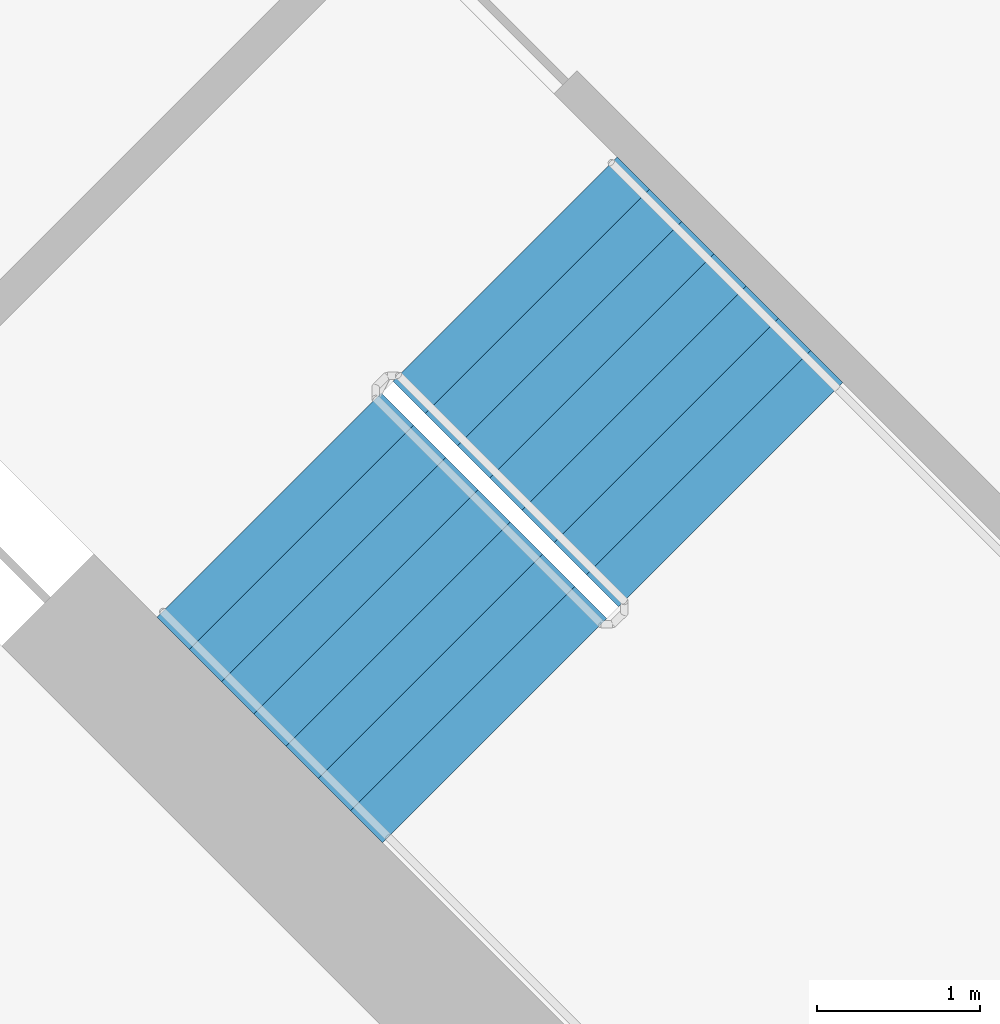
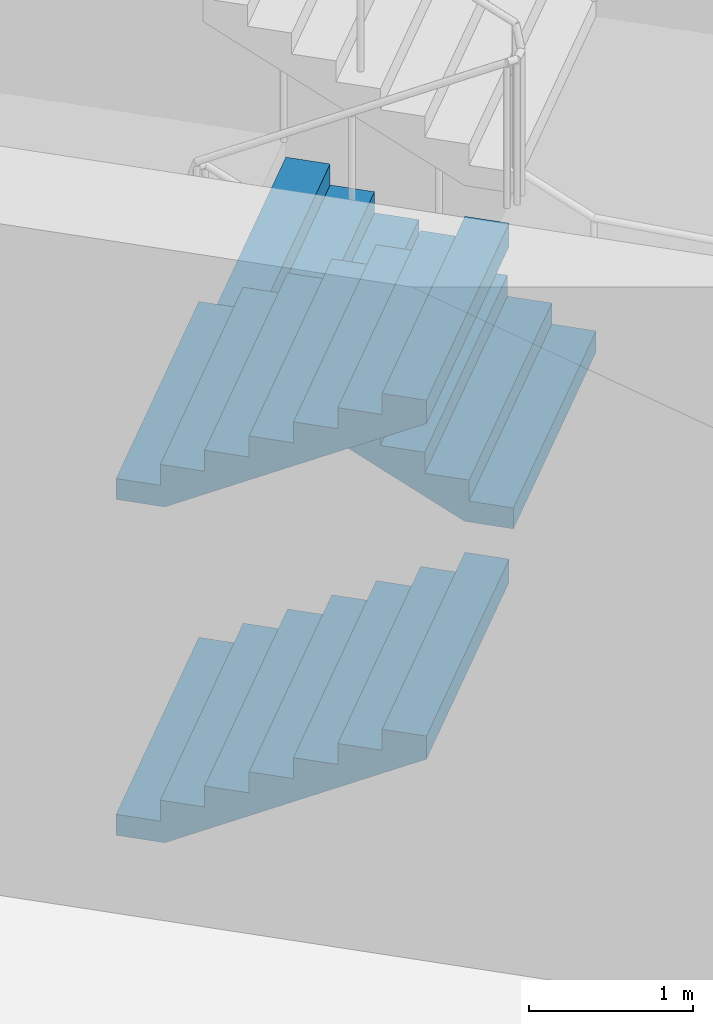
# One storey, part 15 of 20: 3 stair flights, 1 element without a shape of its own.
"""IFC4 building model written with IfcOpenShell, lengths in metres."""

from ifc_helpers import new_model, si_unit, direction, frame, origin, place, context, subcontext, project, spatial, triangles, material, type_object, element, aggregate, save


model = new_model("IFC4")

# Units and contexts
model_context = context("Model", 3, precision=1e-05, world=origin(), true_north=direction((0.0, 1.0)))
body_context = subcontext(model_context, "Body", "Model", "MODEL_VIEW")
ifc_project = project(units=[si_unit("LENGTHUNIT", "METRE"), si_unit("AREAUNIT", "SQUARE_METRE"), si_unit("VOLUMEUNIT", "CUBIC_METRE"), si_unit("PLANEANGLEUNIT", "RADIAN"), si_unit("MASSUNIT", "GRAM", prefix="KILO")], contexts=[model_context])

# Site, building, storey
site_placement = place(None, origin())
site = spatial("IfcSite", under=ifc_project, at=site_placement, CompositionType="ELEMENT")
building_placement = place(site_placement, origin())
building = spatial("IfcBuilding", under=site, at=building_placement, Name="Verdalira Terraces Hotel", CompositionType="ELEMENT")
storey_placement = place(building_placement, frame((0.0, 0.0, 81.0)))
storey = spatial("IfcBuildingStorey", under=building, at=storey_placement, Name="L18", CompositionType="ELEMENT", Elevation=81.0)

# Stair, stair flights
ifc_material_1 = material(Name="Concrete C40", Category="concrete")
stair_type = type_object("IfcStairType", Name="Core stair 32 risers 1950 mm wide", PredefinedType="HALF_TURN_STAIR", material=ifc_material_1)
stair_placement = place(storey_placement, origin())
stair = element("IfcStair", 1, at=stair_placement, inside=storey, type_object=stair_type, Name="L18 Exit stair ST2", PredefinedType="HALF_TURN_STAIR")
ifc_material_2 = material(Name="Concrete C40", Category="concrete")
stair_flight_type = type_object("IfcStairFlightType", Name="Core stair flight 32 risers 1950 mm wide", PredefinedType="STRAIGHT", material=ifc_material_2)
stair_flight_1_placement = place(storey_placement, frame((-10.023193, -7.265625, 0.0), z_axis=(0.0, 0.0, 1.0), x_axis=(0.707106781, -0.707106781, 0.0)))
stair_flight_1 = element("IfcStairFlight", 2, at=stair_flight_1_placement, type_object=stair_flight_type, Name="ST2 flight 1", NumberOfRisers=8, NumberOfTreads=7, PredefinedType="STRAIGHT", RiserHeight=0.15625, TreadLength=0.28, context=body_context, shape_type="Tessellation", body=[
    triangles([(0.0, 0.974976, 0.0), (0.307617, 0.974976, 0.0), (1.959961, 0.974976, 0.922119), (0.0, -0.974976, 0.0), (0.307617, -0.974976, 0.0), (1.959961, -0.974976, 0.922119), (1.959961, 0.974976, 1.09375), (1.679932, 0.974976, 1.09375), (1.959961, -0.974976, 1.09375), (1.679932, -0.974976, 1.09375), (1.679932, 0.974976, 0.9375), (1.679932, -0.974976, 0.9375), (1.399902, 0.974976, 0.9375), (1.399902, -0.974976, 0.9375), (1.399902, 0.974976, 0.78125), (1.399902, -0.974976, 0.78125), (1.120117, 0.974976, 0.78125), (1.120117, 0.974976, 0.625), (1.120117, -0.974976, 0.78125), (1.120117, -0.974976, 0.625), (0.840088, 0.974976, 0.625), (0.840088, 0.974976, 0.46875), (0.840088, -0.974976, 0.625), (0.840088, -0.974976, 0.46875), (0.560059, 0.974976, 0.46875), (0.560059, 0.974976, 0.3125), (0.560059, -0.974976, 0.46875), (0.560059, -0.974976, 0.3125), (0.280029, 0.974976, 0.3125), (0.280029, 0.974976, 0.15625), (0.280029, -0.974976, 0.3125), (0.280029, -0.974976, 0.15625), (0.0, 0.974976, 0.15625), (0.0, -0.974976, 0.15625), (0.0, -0.91404, 0.0), (0.0, -0.91404, 0.15625), (0.0, -0.853104, 0.0), (0.0, -0.853104, 0.15625), (0.0, -0.792168, 0.0), (0.0, -0.792168, 0.15625), (0.0, -0.731232, 0.0), (0.0, -0.731232, 0.15625), (0.0, -0.670296, 0.0), (0.0, -0.670296, 0.15625), (0.0, -0.60936, 0.0), (0.0, -0.60936, 0.15625), (0.0, -0.548424, 0.0), (0.0, -0.548424, 0.15625), (0.0, -0.487488, 0.0), (0.0, -0.487488, 0.15625), (0.0, -0.426552, 0.0), (0.0, -0.426552, 0.15625), (0.0, -0.365616, 0.0), (0.0, -0.365616, 0.15625), (0.0, -0.30468, 0.0), (0.0, -0.30468, 0.15625), (0.0, -0.243744, 0.0), (0.0, -0.243744, 0.15625), (0.0, -0.182808, 0.0), (0.0, -0.182808, 0.15625), (0.0, -0.121872, 0.0), (0.0, -0.121872, 0.15625), (0.0, -0.060936, 0.0), (0.0, -0.060936, 0.15625), (0.0, 0.0, 0.0), (0.0, 0.0, 0.15625), (0.0, 0.060936, 0.0), (0.0, 0.060936, 0.15625), (0.0, 0.121872, 0.0), (0.0, 0.121872, 0.15625), (0.0, 0.182808, 0.0), (0.0, 0.182808, 0.15625), (0.0, 0.243744, 0.0), (0.0, 0.243744, 0.15625), (0.0, 0.30468, 0.0), (0.0, 0.30468, 0.15625), (0.0, 0.365616, 0.0), (0.0, 0.365616, 0.15625), (0.0, 0.426552, 0.0), (0.0, 0.426552, 0.15625), (0.0, 0.487488, 0.0), (0.0, 0.487488, 0.15625), (0.0, 0.548424, 0.0), (0.0, 0.548424, 0.15625), (0.0, 0.60936, 0.0), (0.0, 0.60936, 0.15625), (0.0, 0.670296, 0.0), (0.0, 0.670296, 0.15625), (0.0, 0.731232, 0.0), (0.0, 0.731232, 0.15625), (0.0, 0.792168, 0.0), (0.0, 0.792168, 0.15625), (0.0, 0.853104, 0.0), (0.0, 0.853104, 0.15625), (0.0, 0.91404, 0.0), (0.0, 0.91404, 0.15625), (1.959961, -0.91404, 1.09375), (1.959961, -0.853104, 1.09375), (1.959961, -0.792168, 1.09375), (1.959961, -0.731232, 1.09375), (1.959961, -0.670296, 1.09375), (1.959961, -0.60936, 1.09375), (1.959961, -0.548424, 1.09375), (1.959961, -0.487488, 1.09375), (1.959961, -0.426552, 1.09375), (1.959961, -0.365616, 1.09375), (1.959961, -0.30468, 1.09375), (1.959961, -0.243744, 1.09375), (1.959961, -0.182808, 1.09375), (1.959961, -0.121872, 1.09375), (1.959961, -0.060936, 1.09375), (1.959961, 0.0, 1.09375), (1.959961, 0.060936, 1.09375), (1.959961, 0.121872, 1.09375), (1.959961, 0.182808, 1.09375), (1.959961, 0.243744, 1.09375), (1.959961, 0.30468, 1.09375), (1.959961, 0.365616, 1.09375), (1.959961, 0.426552, 1.09375), (1.959961, 0.487488, 1.09375), (1.959961, 0.548424, 1.09375), (1.959961, 0.60936, 1.09375), (1.959961, 0.670296, 1.09375), (1.959961, 0.731232, 1.09375), (1.959961, 0.792168, 1.09375), (1.959961, 0.853104, 1.09375), (1.959961, 0.91404, 1.09375), (1.959961, -0.91404, 0.922119), (1.959961, -0.853104, 0.922119), (1.959961, -0.792168, 0.922119), (1.959961, -0.731232, 0.922119), (1.959961, -0.670296, 0.922119), (1.959961, -0.60936, 0.922119), (1.959961, -0.548424, 0.922119), (1.959961, -0.487488, 0.922119), (1.959961, -0.426552, 0.922119), (1.959961, -0.365616, 0.922119), (1.959961, -0.30468, 0.922119), (1.959961, -0.243744, 0.922119), (1.959961, -0.182808, 0.922119), (1.959961, -0.121872, 0.922119), (1.959961, -0.060936, 0.922119), (1.959961, 0.0, 0.922119), (1.959961, 0.060936, 0.922119), (1.959961, 0.121872, 0.922119), (1.959961, 0.182808, 0.922119), (1.959961, 0.243744, 0.922119), (1.959961, 0.30468, 0.922119), (1.959961, 0.365616, 0.922119), (1.959961, 0.426552, 0.922119), (1.959961, 0.487488, 0.922119), (1.959961, 0.548424, 0.922119), (1.959961, 0.60936, 0.922119), (1.959961, 0.670296, 0.922119), (1.959961, 0.731232, 0.922119), (1.959961, 0.792168, 0.922119), (1.959961, 0.853104, 0.922119), (1.959961, 0.91404, 0.922119)], [[1, 3, 2], [4, 5, 6], [3, 8, 7], [6, 9, 10], [3, 11, 8], [6, 10, 12], [3, 13, 11], [6, 12, 14], [3, 15, 13], [6, 14, 16], [15, 18, 17], [16, 19, 20], [3, 18, 15], [6, 16, 20], [18, 22, 21], [20, 23, 24], [3, 22, 18], [6, 20, 24], [22, 26, 25], [24, 27, 28], [3, 26, 22], [6, 24, 28], [26, 30, 29], [28, 31, 32], [3, 30, 26], [6, 28, 32], [1, 30, 3], [4, 6, 32], [30, 1, 33], [32, 34, 4], [4, 36, 35], [4, 34, 36], [35, 38, 37], [35, 36, 38], [37, 40, 39], [37, 38, 40], [39, 42, 41], [39, 40, 42], [41, 44, 43], [41, 42, 44], [43, 46, 45], [43, 44, 46], [45, 48, 47], [45, 46, 48], [47, 50, 49], [47, 48, 50], [49, 52, 51], [49, 50, 52], [51, 54, 53], [51, 52, 54], [53, 56, 55], [53, 54, 56], [55, 58, 57], [55, 56, 58], [57, 60, 59], [57, 58, 60], [59, 62, 61], [59, 60, 62], [61, 64, 63], [61, 62, 64], [63, 66, 65], [63, 64, 66], [65, 68, 67], [65, 66, 68], [67, 70, 69], [67, 68, 70], [69, 72, 71], [69, 70, 72], [71, 74, 73], [71, 72, 74], [73, 76, 75], [73, 74, 76], [75, 78, 77], [75, 76, 78], [77, 80, 79], [77, 78, 80], [79, 82, 81], [79, 80, 82], [81, 84, 83], [81, 82, 84], [83, 86, 85], [83, 84, 86], [85, 88, 87], [85, 86, 88], [87, 90, 89], [87, 88, 90], [89, 92, 91], [89, 90, 92], [91, 94, 93], [91, 92, 94], [93, 96, 95], [93, 94, 96], [95, 33, 1], [95, 96, 33], [34, 32, 36], [36, 32, 38], [38, 32, 40], [40, 32, 42], [42, 32, 44], [44, 32, 46], [46, 32, 48], [48, 32, 50], [50, 32, 52], [52, 32, 54], [54, 32, 56], [56, 32, 58], [58, 32, 60], [60, 32, 62], [62, 32, 64], [64, 32, 66], [66, 32, 68], [68, 32, 70], [70, 32, 72], [72, 32, 74], [74, 32, 76], [76, 32, 78], [78, 32, 80], [80, 32, 82], [82, 32, 84], [84, 32, 86], [86, 32, 88], [88, 32, 90], [90, 32, 92], [92, 32, 94], [94, 32, 96], [96, 32, 33], [33, 32, 30], [32, 29, 30], [32, 31, 29], [31, 26, 29], [31, 28, 26], [28, 25, 26], [28, 27, 25], [27, 22, 25], [27, 24, 22], [24, 21, 22], [24, 23, 21], [23, 18, 21], [23, 20, 18], [20, 17, 18], [20, 19, 17], [19, 15, 17], [19, 16, 15], [16, 13, 15], [16, 14, 13], [14, 11, 13], [14, 12, 11], [12, 8, 11], [12, 10, 8], [9, 97, 10], [97, 98, 10], [98, 99, 10], [99, 100, 10], [100, 101, 10], [101, 102, 10], [102, 103, 10], [103, 104, 10], [104, 105, 10], [105, 106, 10], [106, 107, 10], [107, 108, 10], [108, 109, 10], [109, 110, 10], [110, 111, 10], [111, 112, 10], [112, 113, 10], [113, 114, 10], [114, 115, 10], [115, 116, 10], [116, 117, 10], [117, 118, 10], [118, 119, 10], [119, 120, 10], [120, 121, 10], [121, 122, 10], [122, 123, 10], [123, 124, 10], [124, 125, 10], [125, 126, 10], [126, 127, 10], [127, 7, 10], [7, 8, 10], [9, 128, 97], [9, 6, 128], [97, 129, 98], [97, 128, 129], [98, 130, 99], [98, 129, 130], [99, 131, 100], [99, 130, 131], [100, 132, 101], [100, 131, 132], [101, 133, 102], [101, 132, 133], [102, 134, 103], [102, 133, 134], [103, 135, 104], [103, 134, 135], [104, 136, 105], [104, 135, 136], [105, 137, 106], [105, 136, 137], [106, 138, 107], [106, 137, 138], [107, 139, 108], [107, 138, 139], [108, 140, 109], [108, 139, 140], [109, 141, 110], [109, 140, 141], [110, 142, 111], [110, 141, 142], [111, 143, 112], [111, 142, 143], [112, 144, 113], [112, 143, 144], [113, 145, 114], [113, 144, 145], [114, 146, 115], [114, 145, 146], [115, 147, 116], [115, 146, 147], [116, 148, 117], [116, 147, 148], [117, 149, 118], [117, 148, 149], [118, 150, 119], [118, 149, 150], [119, 151, 120], [119, 150, 151], [120, 152, 121], [120, 151, 152], [121, 153, 122], [121, 152, 153], [122, 154, 123], [122, 153, 154], [123, 155, 124], [123, 154, 155], [124, 156, 125], [124, 155, 156], [125, 157, 126], [125, 156, 157], [126, 158, 127], [126, 157, 158], [127, 3, 7], [127, 158, 3], [6, 5, 128], [128, 5, 129], [129, 5, 130], [130, 5, 131], [131, 5, 132], [132, 5, 133], [133, 5, 134], [134, 5, 135], [135, 5, 136], [136, 5, 137], [137, 5, 138], [138, 5, 139], [139, 5, 140], [140, 5, 141], [141, 5, 142], [142, 5, 143], [143, 5, 144], [144, 5, 145], [145, 5, 146], [146, 5, 147], [147, 5, 148], [148, 5, 149], [149, 5, 150], [150, 5, 151], [151, 5, 152], [152, 5, 153], [153, 5, 154], [154, 5, 155], [155, 5, 156], [156, 5, 157], [157, 5, 158], [158, 5, 3], [3, 5, 2], [4, 35, 5], [35, 37, 5], [37, 39, 5], [39, 41, 5], [41, 43, 5], [43, 45, 5], [45, 47, 5], [47, 49, 5], [49, 51, 5], [51, 53, 5], [53, 55, 5], [55, 57, 5], [57, 59, 5], [59, 61, 5], [61, 63, 5], [63, 65, 5], [65, 67, 5], [67, 69, 5], [69, 71, 5], [71, 73, 5], [73, 75, 5], [75, 77, 5], [77, 79, 5], [79, 81, 5], [81, 83, 5], [83, 85, 5], [85, 87, 5], [87, 89, 5], [89, 91, 5], [91, 93, 5], [93, 95, 5], [95, 1, 5], [1, 2, 5]], closed=True),
])
stair_flight_2_placement = place(storey_placement, frame((-7.187744, -7.201904, 1.25), z_axis=(0.0, 0.0, 1.0), x_axis=(-0.707106781, 0.707106781, 0.0)))
stair_flight_2 = element("IfcStairFlight", 3, at=stair_flight_2_placement, type_object=stair_flight_type, Name="ST2 flight 2", NumberOfRisers=8, NumberOfTreads=7, PredefinedType="STRAIGHT", RiserHeight=0.15625, TreadLength=0.28, context=body_context, shape_type="Tessellation", body=[
    triangles([(0.0, 0.974976, 0.0), (0.307617, 0.974976, 0.0), (1.959961, 0.974976, 0.922119), (0.0, -0.974976, 0.0), (0.307617, -0.974976, 0.0), (1.959961, -0.974976, 0.922119), (1.959961, 0.974976, 1.09375), (1.679932, 0.974976, 1.09375), (1.959961, -0.974976, 1.09375), (1.679932, -0.974976, 1.09375), (1.679932, 0.974976, 0.9375), (1.679932, -0.974976, 0.9375), (1.399902, 0.974976, 0.9375), (1.399902, -0.974976, 0.9375), (1.399902, 0.974976, 0.78125), (1.399902, -0.974976, 0.78125), (1.120117, 0.974976, 0.78125), (1.120117, 0.974976, 0.625), (1.120117, -0.974976, 0.78125), (1.120117, -0.974976, 0.625), (0.840088, 0.974976, 0.625), (0.840088, 0.974976, 0.46875), (0.840088, -0.974976, 0.625), (0.840088, -0.974976, 0.46875), (0.560059, 0.974976, 0.46875), (0.560059, 0.974976, 0.3125), (0.560059, -0.974976, 0.46875), (0.560059, -0.974976, 0.3125), (0.280029, 0.974976, 0.3125), (0.280029, 0.974976, 0.15625), (0.280029, -0.974976, 0.3125), (0.280029, -0.974976, 0.15625), (0.0, 0.974976, 0.15625), (0.0, -0.974976, 0.15625), (0.0, -0.91404, 0.0), (0.0, -0.91404, 0.15625), (0.0, -0.853104, 0.0), (0.0, -0.853104, 0.15625), (0.0, -0.792168, 0.0), (0.0, -0.792168, 0.15625), (0.0, -0.731232, 0.0), (0.0, -0.731232, 0.15625), (0.0, -0.670296, 0.0), (0.0, -0.670296, 0.15625), (0.0, -0.60936, 0.0), (0.0, -0.60936, 0.15625), (0.0, -0.548424, 0.0), (0.0, -0.548424, 0.15625), (0.0, -0.487488, 0.0), (0.0, -0.487488, 0.15625), (0.0, -0.426552, 0.0), (0.0, -0.426552, 0.15625), (0.0, -0.365616, 0.0), (0.0, -0.365616, 0.15625), (0.0, -0.30468, 0.0), (0.0, -0.30468, 0.15625), (0.0, -0.243744, 0.0), (0.0, -0.243744, 0.15625), (0.0, -0.182808, 0.0), (0.0, -0.182808, 0.15625), (0.0, -0.121872, 0.0), (0.0, -0.121872, 0.15625), (0.0, -0.060936, 0.0), (0.0, -0.060936, 0.15625), (0.0, 0.0, 0.0), (0.0, 0.0, 0.15625), (0.0, 0.060936, 0.0), (0.0, 0.060936, 0.15625), (0.0, 0.121872, 0.0), (0.0, 0.121872, 0.15625), (0.0, 0.182808, 0.0), (0.0, 0.182808, 0.15625), (0.0, 0.243744, 0.0), (0.0, 0.243744, 0.15625), (0.0, 0.30468, 0.0), (0.0, 0.30468, 0.15625), (0.0, 0.365616, 0.0), (0.0, 0.365616, 0.15625), (0.0, 0.426552, 0.0), (0.0, 0.426552, 0.15625), (0.0, 0.487488, 0.0), (0.0, 0.487488, 0.15625), (0.0, 0.548424, 0.0), (0.0, 0.548424, 0.15625), (0.0, 0.60936, 0.0), (0.0, 0.60936, 0.15625), (0.0, 0.670296, 0.0), (0.0, 0.670296, 0.15625), (0.0, 0.731232, 0.0), (0.0, 0.731232, 0.15625), (0.0, 0.792168, 0.0), (0.0, 0.792168, 0.15625), (0.0, 0.853104, 0.0), (0.0, 0.853104, 0.15625), (0.0, 0.91404, 0.0), (0.0, 0.91404, 0.15625), (1.959961, -0.91404, 1.09375), (1.959961, -0.853104, 1.09375), (1.959961, -0.792168, 1.09375), (1.959961, -0.731232, 1.09375), (1.959961, -0.670296, 1.09375), (1.959961, -0.60936, 1.09375), (1.959961, -0.548424, 1.09375), (1.959961, -0.487488, 1.09375), (1.959961, -0.426552, 1.09375), (1.959961, -0.365616, 1.09375), (1.959961, -0.30468, 1.09375), (1.959961, -0.243744, 1.09375), (1.959961, -0.182808, 1.09375), (1.959961, -0.121872, 1.09375), (1.959961, -0.060936, 1.09375), (1.959961, 0.0, 1.09375), (1.959961, 0.060936, 1.09375), (1.959961, 0.121872, 1.09375), (1.959961, 0.182808, 1.09375), (1.959961, 0.243744, 1.09375), (1.959961, 0.30468, 1.09375), (1.959961, 0.365616, 1.09375), (1.959961, 0.426552, 1.09375), (1.959961, 0.487488, 1.09375), (1.959961, 0.548424, 1.09375), (1.959961, 0.60936, 1.09375), (1.959961, 0.670296, 1.09375), (1.959961, 0.731232, 1.09375), (1.959961, 0.792168, 1.09375), (1.959961, 0.853104, 1.09375), (1.959961, 0.91404, 1.09375), (1.959961, -0.91404, 0.922119), (1.959961, -0.853104, 0.922119), (1.959961, -0.792168, 0.922119), (1.959961, -0.731232, 0.922119), (1.959961, -0.670296, 0.922119), (1.959961, -0.60936, 0.922119), (1.959961, -0.548424, 0.922119), (1.959961, -0.487488, 0.922119), (1.959961, -0.426552, 0.922119), (1.959961, -0.365616, 0.922119), (1.959961, -0.30468, 0.922119), (1.959961, -0.243744, 0.922119), (1.959961, -0.182808, 0.922119), (1.959961, -0.121872, 0.922119), (1.959961, -0.060936, 0.922119), (1.959961, 0.0, 0.922119), (1.959961, 0.060936, 0.922119), (1.959961, 0.121872, 0.922119), (1.959961, 0.182808, 0.922119), (1.959961, 0.243744, 0.922119), (1.959961, 0.30468, 0.922119), (1.959961, 0.365616, 0.922119), (1.959961, 0.426552, 0.922119), (1.959961, 0.487488, 0.922119), (1.959961, 0.548424, 0.922119), (1.959961, 0.60936, 0.922119), (1.959961, 0.670296, 0.922119), (1.959961, 0.731232, 0.922119), (1.959961, 0.792168, 0.922119), (1.959961, 0.853104, 0.922119), (1.959961, 0.91404, 0.922119)], [[1, 3, 2], [4, 5, 6], [3, 8, 7], [6, 9, 10], [3, 11, 8], [6, 10, 12], [3, 13, 11], [6, 12, 14], [3, 15, 13], [6, 14, 16], [15, 18, 17], [16, 19, 20], [3, 18, 15], [6, 16, 20], [18, 22, 21], [20, 23, 24], [3, 22, 18], [6, 20, 24], [22, 26, 25], [24, 27, 28], [3, 26, 22], [6, 24, 28], [26, 30, 29], [28, 31, 32], [3, 30, 26], [6, 28, 32], [1, 30, 3], [4, 6, 32], [30, 1, 33], [32, 34, 4], [4, 36, 35], [4, 34, 36], [35, 38, 37], [35, 36, 38], [37, 40, 39], [37, 38, 40], [39, 42, 41], [39, 40, 42], [41, 44, 43], [41, 42, 44], [43, 46, 45], [43, 44, 46], [45, 48, 47], [45, 46, 48], [47, 50, 49], [47, 48, 50], [49, 52, 51], [49, 50, 52], [51, 54, 53], [51, 52, 54], [53, 56, 55], [53, 54, 56], [55, 58, 57], [55, 56, 58], [57, 60, 59], [57, 58, 60], [59, 62, 61], [59, 60, 62], [61, 64, 63], [61, 62, 64], [63, 66, 65], [63, 64, 66], [65, 68, 67], [65, 66, 68], [67, 70, 69], [67, 68, 70], [69, 72, 71], [69, 70, 72], [71, 74, 73], [71, 72, 74], [73, 76, 75], [73, 74, 76], [75, 78, 77], [75, 76, 78], [77, 80, 79], [77, 78, 80], [79, 82, 81], [79, 80, 82], [81, 84, 83], [81, 82, 84], [83, 86, 85], [83, 84, 86], [85, 88, 87], [85, 86, 88], [87, 90, 89], [87, 88, 90], [89, 92, 91], [89, 90, 92], [91, 94, 93], [91, 92, 94], [93, 96, 95], [93, 94, 96], [95, 33, 1], [95, 96, 33], [34, 32, 36], [36, 32, 38], [38, 32, 40], [40, 32, 42], [42, 32, 44], [44, 32, 46], [46, 32, 48], [48, 32, 50], [50, 32, 52], [52, 32, 54], [54, 32, 56], [56, 32, 58], [58, 32, 60], [60, 32, 62], [62, 32, 64], [64, 32, 66], [66, 32, 68], [68, 32, 70], [70, 32, 72], [72, 32, 74], [74, 32, 76], [76, 32, 78], [78, 32, 80], [80, 32, 82], [82, 32, 84], [84, 32, 86], [86, 32, 88], [88, 32, 90], [90, 32, 92], [92, 32, 94], [94, 32, 96], [96, 32, 33], [33, 32, 30], [32, 29, 30], [32, 31, 29], [31, 26, 29], [31, 28, 26], [28, 25, 26], [28, 27, 25], [27, 22, 25], [27, 24, 22], [24, 21, 22], [24, 23, 21], [23, 18, 21], [23, 20, 18], [20, 17, 18], [20, 19, 17], [19, 15, 17], [19, 16, 15], [16, 13, 15], [16, 14, 13], [14, 11, 13], [14, 12, 11], [12, 8, 11], [12, 10, 8], [9, 97, 10], [97, 98, 10], [98, 99, 10], [99, 100, 10], [100, 101, 10], [101, 102, 10], [102, 103, 10], [103, 104, 10], [104, 105, 10], [105, 106, 10], [106, 107, 10], [107, 108, 10], [108, 109, 10], [109, 110, 10], [110, 111, 10], [111, 112, 10], [112, 113, 10], [113, 114, 10], [114, 115, 10], [115, 116, 10], [116, 117, 10], [117, 118, 10], [118, 119, 10], [119, 120, 10], [120, 121, 10], [121, 122, 10], [122, 123, 10], [123, 124, 10], [124, 125, 10], [125, 126, 10], [126, 127, 10], [127, 7, 10], [7, 8, 10], [9, 128, 97], [9, 6, 128], [97, 129, 98], [97, 128, 129], [98, 130, 99], [98, 129, 130], [99, 131, 100], [99, 130, 131], [100, 132, 101], [100, 131, 132], [101, 133, 102], [101, 132, 133], [102, 134, 103], [102, 133, 134], [103, 135, 104], [103, 134, 135], [104, 136, 105], [104, 135, 136], [105, 137, 106], [105, 136, 137], [106, 138, 107], [106, 137, 138], [107, 139, 108], [107, 138, 139], [108, 140, 109], [108, 139, 140], [109, 141, 110], [109, 140, 141], [110, 142, 111], [110, 141, 142], [111, 143, 112], [111, 142, 143], [112, 144, 113], [112, 143, 144], [113, 145, 114], [113, 144, 145], [114, 146, 115], [114, 145, 146], [115, 147, 116], [115, 146, 147], [116, 148, 117], [116, 147, 148], [117, 149, 118], [117, 148, 149], [118, 150, 119], [118, 149, 150], [119, 151, 120], [119, 150, 151], [120, 152, 121], [120, 151, 152], [121, 153, 122], [121, 152, 153], [122, 154, 123], [122, 153, 154], [123, 155, 124], [123, 154, 155], [124, 156, 125], [124, 155, 156], [125, 157, 126], [125, 156, 157], [126, 158, 127], [126, 157, 158], [127, 3, 7], [127, 158, 3], [6, 5, 128], [128, 5, 129], [129, 5, 130], [130, 5, 131], [131, 5, 132], [132, 5, 133], [133, 5, 134], [134, 5, 135], [135, 5, 136], [136, 5, 137], [137, 5, 138], [138, 5, 139], [139, 5, 140], [140, 5, 141], [141, 5, 142], [142, 5, 143], [143, 5, 144], [144, 5, 145], [145, 5, 146], [146, 5, 147], [147, 5, 148], [148, 5, 149], [149, 5, 150], [150, 5, 151], [151, 5, 152], [152, 5, 153], [153, 5, 154], [154, 5, 155], [155, 5, 156], [156, 5, 157], [157, 5, 158], [158, 5, 3], [3, 5, 2], [4, 35, 5], [35, 37, 5], [37, 39, 5], [39, 41, 5], [41, 43, 5], [43, 45, 5], [45, 47, 5], [47, 49, 5], [49, 51, 5], [51, 53, 5], [53, 55, 5], [55, 57, 5], [57, 59, 5], [59, 61, 5], [61, 63, 5], [63, 65, 5], [65, 67, 5], [67, 69, 5], [69, 71, 5], [71, 73, 5], [73, 75, 5], [75, 77, 5], [77, 79, 5], [79, 81, 5], [81, 83, 5], [83, 85, 5], [85, 87, 5], [87, 89, 5], [89, 91, 5], [91, 93, 5], [93, 95, 5], [95, 1, 5], [1, 2, 5]], closed=True),
])
stair_flight_3_placement = place(storey_placement, frame((-10.023193, -7.265625, 2.5), z_axis=(0.0, 0.0, 1.0), x_axis=(0.707106781, -0.707106781, 0.0)))
stair_flight_3 = element("IfcStairFlight", 4, at=stair_flight_3_placement, type_object=stair_flight_type, Name="ST2 flight 3", NumberOfRisers=8, NumberOfTreads=7, PredefinedType="STRAIGHT", RiserHeight=0.15625, TreadLength=0.28, context=body_context, shape_type="Tessellation", body=[
    triangles([(0.0, 0.974976, 0.0), (0.307617, 0.974976, 0.0), (1.959961, 0.974976, 0.922119), (0.0, -0.974976, 0.0), (0.307617, -0.974976, 0.0), (1.959961, -0.974976, 0.922119), (1.959961, 0.974976, 1.09375), (1.679932, 0.974976, 1.09375), (1.959961, -0.974976, 1.09375), (1.679932, -0.974976, 1.09375), (1.679932, 0.974976, 0.9375), (1.679932, -0.974976, 0.9375), (1.399902, 0.974976, 0.9375), (1.399902, -0.974976, 0.9375), (1.399902, 0.974976, 0.78125), (1.399902, -0.974976, 0.78125), (1.120117, 0.974976, 0.78125), (1.120117, 0.974976, 0.625), (1.120117, -0.974976, 0.78125), (1.120117, -0.974976, 0.625), (0.840088, 0.974976, 0.625), (0.840088, 0.974976, 0.46875), (0.840088, -0.974976, 0.625), (0.840088, -0.974976, 0.46875), (0.560059, 0.974976, 0.46875), (0.560059, 0.974976, 0.3125), (0.560059, -0.974976, 0.46875), (0.560059, -0.974976, 0.3125), (0.280029, 0.974976, 0.3125), (0.280029, 0.974976, 0.15625), (0.280029, -0.974976, 0.3125), (0.280029, -0.974976, 0.15625), (0.0, 0.974976, 0.15625), (0.0, -0.974976, 0.15625), (0.0, -0.91404, 0.0), (0.0, -0.91404, 0.15625), (0.0, -0.853104, 0.0), (0.0, -0.853104, 0.15625), (0.0, -0.792168, 0.0), (0.0, -0.792168, 0.15625), (0.0, -0.731232, 0.0), (0.0, -0.731232, 0.15625), (0.0, -0.670296, 0.0), (0.0, -0.670296, 0.15625), (0.0, -0.60936, 0.0), (0.0, -0.60936, 0.15625), (0.0, -0.548424, 0.0), (0.0, -0.548424, 0.15625), (0.0, -0.487488, 0.0), (0.0, -0.487488, 0.15625), (0.0, -0.426552, 0.0), (0.0, -0.426552, 0.15625), (0.0, -0.365616, 0.0), (0.0, -0.365616, 0.15625), (0.0, -0.30468, 0.0), (0.0, -0.30468, 0.15625), (0.0, -0.243744, 0.0), (0.0, -0.243744, 0.15625), (0.0, -0.182808, 0.0), (0.0, -0.182808, 0.15625), (0.0, -0.121872, 0.0), (0.0, -0.121872, 0.15625), (0.0, -0.060936, 0.0), (0.0, -0.060936, 0.15625), (0.0, 0.0, 0.0), (0.0, 0.0, 0.15625), (0.0, 0.060936, 0.0), (0.0, 0.060936, 0.15625), (0.0, 0.121872, 0.0), (0.0, 0.121872, 0.15625), (0.0, 0.182808, 0.0), (0.0, 0.182808, 0.15625), (0.0, 0.243744, 0.0), (0.0, 0.243744, 0.15625), (0.0, 0.30468, 0.0), (0.0, 0.30468, 0.15625), (0.0, 0.365616, 0.0), (0.0, 0.365616, 0.15625), (0.0, 0.426552, 0.0), (0.0, 0.426552, 0.15625), (0.0, 0.487488, 0.0), (0.0, 0.487488, 0.15625), (0.0, 0.548424, 0.0), (0.0, 0.548424, 0.15625), (0.0, 0.60936, 0.0), (0.0, 0.60936, 0.15625), (0.0, 0.670296, 0.0), (0.0, 0.670296, 0.15625), (0.0, 0.731232, 0.0), (0.0, 0.731232, 0.15625), (0.0, 0.792168, 0.0), (0.0, 0.792168, 0.15625), (0.0, 0.853104, 0.0), (0.0, 0.853104, 0.15625), (0.0, 0.91404, 0.0), (0.0, 0.91404, 0.15625), (1.959961, -0.91404, 1.09375), (1.959961, -0.853104, 1.09375), (1.959961, -0.792168, 1.09375), (1.959961, -0.731232, 1.09375), (1.959961, -0.670296, 1.09375), (1.959961, -0.60936, 1.09375), (1.959961, -0.548424, 1.09375), (1.959961, -0.487488, 1.09375), (1.959961, -0.426552, 1.09375), (1.959961, -0.365616, 1.09375), (1.959961, -0.30468, 1.09375), (1.959961, -0.243744, 1.09375), (1.959961, -0.182808, 1.09375), (1.959961, -0.121872, 1.09375), (1.959961, -0.060936, 1.09375), (1.959961, 0.0, 1.09375), (1.959961, 0.060936, 1.09375), (1.959961, 0.121872, 1.09375), (1.959961, 0.182808, 1.09375), (1.959961, 0.243744, 1.09375), (1.959961, 0.30468, 1.09375), (1.959961, 0.365616, 1.09375), (1.959961, 0.426552, 1.09375), (1.959961, 0.487488, 1.09375), (1.959961, 0.548424, 1.09375), (1.959961, 0.60936, 1.09375), (1.959961, 0.670296, 1.09375), (1.959961, 0.731232, 1.09375), (1.959961, 0.792168, 1.09375), (1.959961, 0.853104, 1.09375), (1.959961, 0.91404, 1.09375), (1.959961, -0.91404, 0.922119), (1.959961, -0.853104, 0.922119), (1.959961, -0.792168, 0.922119), (1.959961, -0.731232, 0.922119), (1.959961, -0.670296, 0.922119), (1.959961, -0.60936, 0.922119), (1.959961, -0.548424, 0.922119), (1.959961, -0.487488, 0.922119), (1.959961, -0.426552, 0.922119), (1.959961, -0.365616, 0.922119), (1.959961, -0.30468, 0.922119), (1.959961, -0.243744, 0.922119), (1.959961, -0.182808, 0.922119), (1.959961, -0.121872, 0.922119), (1.959961, -0.060936, 0.922119), (1.959961, 0.0, 0.922119), (1.959961, 0.060936, 0.922119), (1.959961, 0.121872, 0.922119), (1.959961, 0.182808, 0.922119), (1.959961, 0.243744, 0.922119), (1.959961, 0.30468, 0.922119), (1.959961, 0.365616, 0.922119), (1.959961, 0.426552, 0.922119), (1.959961, 0.487488, 0.922119), (1.959961, 0.548424, 0.922119), (1.959961, 0.60936, 0.922119), (1.959961, 0.670296, 0.922119), (1.959961, 0.731232, 0.922119), (1.959961, 0.792168, 0.922119), (1.959961, 0.853104, 0.922119), (1.959961, 0.91404, 0.922119)], [[1, 3, 2], [4, 5, 6], [3, 8, 7], [6, 9, 10], [3, 11, 8], [6, 10, 12], [3, 13, 11], [6, 12, 14], [3, 15, 13], [6, 14, 16], [15, 18, 17], [16, 19, 20], [3, 18, 15], [6, 16, 20], [18, 22, 21], [20, 23, 24], [3, 22, 18], [6, 20, 24], [22, 26, 25], [24, 27, 28], [3, 26, 22], [6, 24, 28], [26, 30, 29], [28, 31, 32], [3, 30, 26], [6, 28, 32], [1, 30, 3], [4, 6, 32], [30, 1, 33], [32, 34, 4], [4, 36, 35], [4, 34, 36], [35, 38, 37], [35, 36, 38], [37, 40, 39], [37, 38, 40], [39, 42, 41], [39, 40, 42], [41, 44, 43], [41, 42, 44], [43, 46, 45], [43, 44, 46], [45, 48, 47], [45, 46, 48], [47, 50, 49], [47, 48, 50], [49, 52, 51], [49, 50, 52], [51, 54, 53], [51, 52, 54], [53, 56, 55], [53, 54, 56], [55, 58, 57], [55, 56, 58], [57, 60, 59], [57, 58, 60], [59, 62, 61], [59, 60, 62], [61, 64, 63], [61, 62, 64], [63, 66, 65], [63, 64, 66], [65, 68, 67], [65, 66, 68], [67, 70, 69], [67, 68, 70], [69, 72, 71], [69, 70, 72], [71, 74, 73], [71, 72, 74], [73, 76, 75], [73, 74, 76], [75, 78, 77], [75, 76, 78], [77, 80, 79], [77, 78, 80], [79, 82, 81], [79, 80, 82], [81, 84, 83], [81, 82, 84], [83, 86, 85], [83, 84, 86], [85, 88, 87], [85, 86, 88], [87, 90, 89], [87, 88, 90], [89, 92, 91], [89, 90, 92], [91, 94, 93], [91, 92, 94], [93, 96, 95], [93, 94, 96], [95, 33, 1], [95, 96, 33], [34, 32, 36], [36, 32, 38], [38, 32, 40], [40, 32, 42], [42, 32, 44], [44, 32, 46], [46, 32, 48], [48, 32, 50], [50, 32, 52], [52, 32, 54], [54, 32, 56], [56, 32, 58], [58, 32, 60], [60, 32, 62], [62, 32, 64], [64, 32, 66], [66, 32, 68], [68, 32, 70], [70, 32, 72], [72, 32, 74], [74, 32, 76], [76, 32, 78], [78, 32, 80], [80, 32, 82], [82, 32, 84], [84, 32, 86], [86, 32, 88], [88, 32, 90], [90, 32, 92], [92, 32, 94], [94, 32, 96], [96, 32, 33], [33, 32, 30], [32, 29, 30], [32, 31, 29], [31, 26, 29], [31, 28, 26], [28, 25, 26], [28, 27, 25], [27, 22, 25], [27, 24, 22], [24, 21, 22], [24, 23, 21], [23, 18, 21], [23, 20, 18], [20, 17, 18], [20, 19, 17], [19, 15, 17], [19, 16, 15], [16, 13, 15], [16, 14, 13], [14, 11, 13], [14, 12, 11], [12, 8, 11], [12, 10, 8], [9, 97, 10], [97, 98, 10], [98, 99, 10], [99, 100, 10], [100, 101, 10], [101, 102, 10], [102, 103, 10], [103, 104, 10], [104, 105, 10], [105, 106, 10], [106, 107, 10], [107, 108, 10], [108, 109, 10], [109, 110, 10], [110, 111, 10], [111, 112, 10], [112, 113, 10], [113, 114, 10], [114, 115, 10], [115, 116, 10], [116, 117, 10], [117, 118, 10], [118, 119, 10], [119, 120, 10], [120, 121, 10], [121, 122, 10], [122, 123, 10], [123, 124, 10], [124, 125, 10], [125, 126, 10], [126, 127, 10], [127, 7, 10], [7, 8, 10], [9, 128, 97], [9, 6, 128], [97, 129, 98], [97, 128, 129], [98, 130, 99], [98, 129, 130], [99, 131, 100], [99, 130, 131], [100, 132, 101], [100, 131, 132], [101, 133, 102], [101, 132, 133], [102, 134, 103], [102, 133, 134], [103, 135, 104], [103, 134, 135], [104, 136, 105], [104, 135, 136], [105, 137, 106], [105, 136, 137], [106, 138, 107], [106, 137, 138], [107, 139, 108], [107, 138, 139], [108, 140, 109], [108, 139, 140], [109, 141, 110], [109, 140, 141], [110, 142, 111], [110, 141, 142], [111, 143, 112], [111, 142, 143], [112, 144, 113], [112, 143, 144], [113, 145, 114], [113, 144, 145], [114, 146, 115], [114, 145, 146], [115, 147, 116], [115, 146, 147], [116, 148, 117], [116, 147, 148], [117, 149, 118], [117, 148, 149], [118, 150, 119], [118, 149, 150], [119, 151, 120], [119, 150, 151], [120, 152, 121], [120, 151, 152], [121, 153, 122], [121, 152, 153], [122, 154, 123], [122, 153, 154], [123, 155, 124], [123, 154, 155], [124, 156, 125], [124, 155, 156], [125, 157, 126], [125, 156, 157], [126, 158, 127], [126, 157, 158], [127, 3, 7], [127, 158, 3], [6, 5, 128], [128, 5, 129], [129, 5, 130], [130, 5, 131], [131, 5, 132], [132, 5, 133], [133, 5, 134], [134, 5, 135], [135, 5, 136], [136, 5, 137], [137, 5, 138], [138, 5, 139], [139, 5, 140], [140, 5, 141], [141, 5, 142], [142, 5, 143], [143, 5, 144], [144, 5, 145], [145, 5, 146], [146, 5, 147], [147, 5, 148], [148, 5, 149], [149, 5, 150], [150, 5, 151], [151, 5, 152], [152, 5, 153], [153, 5, 154], [154, 5, 155], [155, 5, 156], [156, 5, 157], [157, 5, 158], [158, 5, 3], [3, 5, 2], [4, 35, 5], [35, 37, 5], [37, 39, 5], [39, 41, 5], [41, 43, 5], [43, 45, 5], [45, 47, 5], [47, 49, 5], [49, 51, 5], [51, 53, 5], [53, 55, 5], [55, 57, 5], [57, 59, 5], [59, 61, 5], [61, 63, 5], [63, 65, 5], [65, 67, 5], [67, 69, 5], [69, 71, 5], [71, 73, 5], [73, 75, 5], [75, 77, 5], [77, 79, 5], [79, 81, 5], [81, 83, 5], [83, 85, 5], [85, 87, 5], [87, 89, 5], [89, 91, 5], [91, 93, 5], [93, 95, 5], [95, 1, 5], [1, 2, 5]], closed=True),
])
aggregate(stair, [stair_flight_1, stair_flight_2, stair_flight_3])

save(model, "model.ifc")
